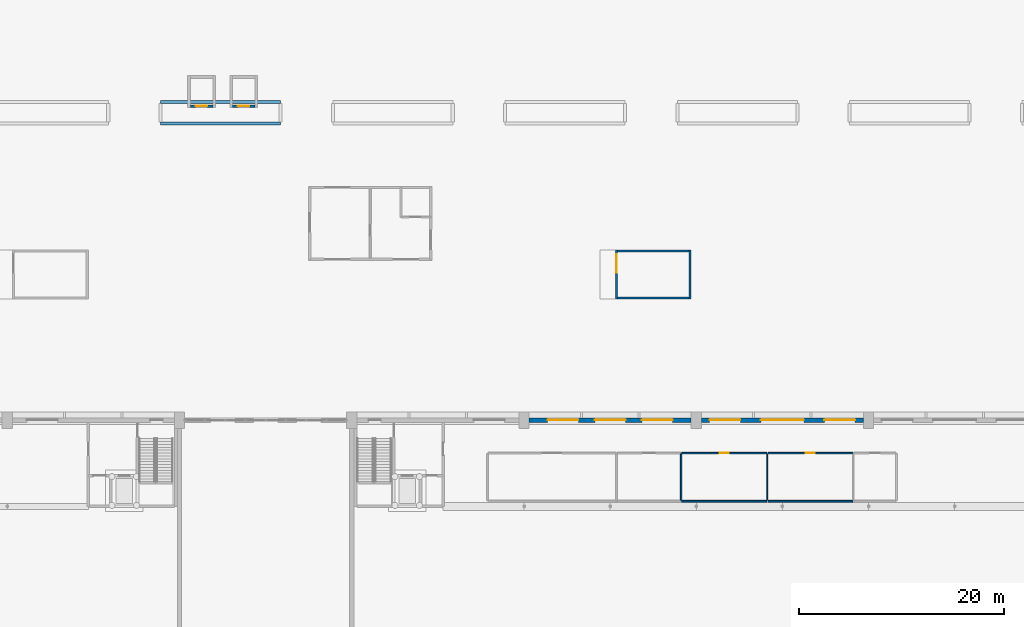
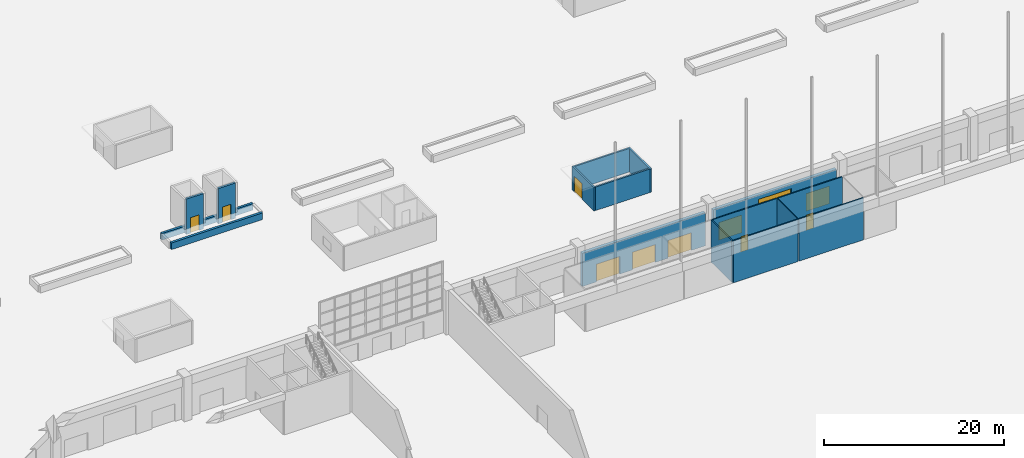
# One storey, part 120 of 210: 16 walls, 11 doors, 11 openings.
"""IFC4 building model written with IfcOpenShell, lengths in metres."""

from ifc_helpers import new_model, si_unit, direction, frame, frame_2d, origin, place, context, subcontext, project, spatial, rectangle, extrude, material, layer, layer_set, type_object, element, fill, save


model = new_model("IFC4")

# Units and contexts
model_context = context("Model", 3, precision=1e-05, world=origin(), true_north=direction((0.0, 1.0)))
body_context = subcontext(model_context, "Body", "Model", "MODEL_VIEW")
ifc_project = project(units=[si_unit("LENGTHUNIT", "METRE"), si_unit("AREAUNIT", "SQUARE_METRE"), si_unit("VOLUMEUNIT", "CUBIC_METRE"), si_unit("PLANEANGLEUNIT", "RADIAN"), si_unit("MASSUNIT", "GRAM", prefix="KILO")], contexts=[model_context])

# Site, building, storey
site_placement = place(None, origin())
site = spatial("IfcSite", under=ifc_project, at=site_placement, CompositionType="ELEMENT")
building_placement = place(site_placement, origin())
building = spatial("IfcBuilding", under=site, at=building_placement, Name="Rain Tree Exposition and Congress Centre", CompositionType="ELEMENT")
storey_placement = place(building_placement, origin())
storey = spatial("IfcBuildingStorey", under=building, at=storey_placement, Name="L00", CompositionType="ELEMENT", Elevation=0.0)

# Wall, opening, door
ifc_material_1 = material(Name="Concrete C40/50", Category="concrete")
ifc_layer_1 = layer(ifc_material_1, 0.199951171875)
ifc_layer_set_1 = layer_set([ifc_layer_1], Name="Concrete C40/50")
wall_type_1 = type_object("IfcWallType", Name="Exit stair wall 200", PredefinedType="PARTITIONING", material=ifc_layer_set_1)
wall_1_placement = place(storey_placement, frame((168.60009765625, 213.39990234375, 0.0), z_axis=(0.0, 0.0, 1.0), x_axis=(0.0, 1.0, 0.0)))
wall_1 = element("IfcWall", 1, at=wall_1_placement, inside=storey, type_object=wall_type_1, Name="Exit stair N03 wall west", PredefinedType="SOLIDWALL", context=body_context, shape_type="SweptSolid", body=[
    extrude(rectangle(XDim=4.800048828125, YDim=0.199951171875, at=frame_2d((2.39990234375, 0.0))), origin(), (0.0, 0.0, 1.0), 3.199951171875),
])
opening_1_placement = place(wall_1_placement, frame((2.60009765625, 0.0, 0.0)))
opening_1 = element("IfcOpeningElement", 2, at=opening_1_placement, cuts=wall_1, Name="Opening DS144", PredefinedType="OPENING", context=body_context, shape_type="SweptSolid", body=[
    extrude(rectangle(XDim=1.800048828125, YDim=2.10009765625, at=frame_2d((0.89990234375, 1.050048828125))), frame((0.0, 0.10009765625, 0.0), z_axis=(0.0, -1.0, 0.0), x_axis=(1.0, 0.0, 0.0)), (0.0, 0.0, 1.0), 0.199951171875),
])
ifc_material_2 = material(Name="Powder-coated steel", Category="steel")
door_type_1 = type_object("IfcDoorType", Name="Exit stair deck door 1800x2100", OperationType="NOTDEFINED", PredefinedType="DOOR", material=ifc_material_2)
door_1_placement = place(opening_1_placement, origin())
door_1 = element("IfcDoor", 3, at=door_1_placement, inside=storey, type_object=door_type_1, Name="Exit stair N03 door L00", OperationType="SINGLE_SWING_LEFT", OverallHeight=2.10009765625, OverallWidth=1.800048828125, PredefinedType="DOOR", context=body_context, shape_type="SweptSolid", body=[
    extrude(rectangle(XDim=1.800048828125, YDim=2.10009765625, at=frame_2d((0.89990234375, 1.050048828125))), frame((0.0, 0.02490234375, 0.0), z_axis=(0.0, -1.0, 0.0), x_axis=(1.0, 0.0, 0.0)), (0.0, 0.0, 1.0), 0.050048828125),
])
fill(opening_1, door_1)

# Walls
wall_2_placement = place(storey_placement, frame((175.800048828125, 213.39990234375, 0.0), z_axis=(0.0, 0.0, 1.0), x_axis=(0.0, 1.0, 0.0)))
element("IfcWall", 4, at=wall_2_placement, inside=storey, type_object=wall_type_1, Name="Exit stair N03 wall east", PredefinedType="SOLIDWALL", context=body_context, shape_type="SweptSolid", body=[
    extrude(rectangle(XDim=4.800048828125, YDim=0.199951171875, at=frame_2d((2.39990234375, 0.0))), origin(), (0.0, 0.0, 1.0), 3.199951171875),
])
for number, where, z_axis, x_axis, name in (
    (5, (168.699951171875, 213.5, 0.0), (0.0, 0.0, 1.0), (1.0, 0.0, 0.0), "Exit stair N03 wall south"),
    (6, (168.699951171875, 218.10009765625, 0.0), (0.0, 0.0, 1.0), (1.0, 0.0, 0.0), "Exit stair N03 wall north"),
):
    element("IfcWall", number, at=place(storey_placement, frame(where, z_axis=z_axis, x_axis=x_axis)), inside=storey, type_object=wall_type_1, Name=name, PredefinedType="SOLIDWALL", context=body_context, shape_type="SweptSolid", body=[
        extrude(rectangle(XDim=7.0, YDim=0.199951171875, at=frame_2d((3.5, 0.0))), origin(), (0.0, 0.0, 1.0), 3.199951171875),
    ])

# Wall, openings, doors
ifc_material_3 = material(Name="Precast concrete C50/60", Category="concrete")
ifc_layer_2 = layer(ifc_material_3, 0.39990234375)
ifc_layer_set_2 = layer_set([ifc_layer_2], Name="Precast concrete C50/60")
wall_type_2 = type_object("IfcWallType", Name="Hall precast wall 400", PredefinedType="STANDARD", material=ifc_layer_set_2)
wall_3_placement = place(storey_placement, frame((160.10009765625, 201.60009765625, 0.0), z_axis=(0.0, 0.0, 1.0), x_axis=(1.0, 0.0, 0.0)))
wall_3 = element("IfcWall", 7, at=wall_3_placement, inside=storey, type_object=wall_type_2, Name="Cladding wall N2", PredefinedType="STANDARD", context=body_context, shape_type="SweptSolid", body=[
    extrude(rectangle(XDim=15.7998046875, YDim=0.39990234375, at=frame_2d((7.89990234375, 0.0))), origin(), (0.0, 0.0, 1.0), 4.5),
])
opening_2_placement = place(wall_3_placement, frame((1.800048828125, 0.0, 0.0)))
opening_2 = element("IfcOpeningElement", 8, at=opening_2_placement, cuts=wall_3, Name="Opening DH148", PredefinedType="OPENING", context=body_context, shape_type="SweptSolid", body=[
    extrude(rectangle(XDim=3.0, YDim=2.39990234375, at=frame_2d((1.5, 1.199951171875))), frame((0.0, 0.199951171875, 0.0), z_axis=(0.0, -1.0, 0.0), x_axis=(1.0, 0.0, 0.0)), (0.0, 0.0, 1.0), 0.39990234375),
])
opening_3_placement = place(wall_3_placement, frame((6.39990234375, 0.0, 0.0)))
opening_3 = element("IfcOpeningElement", 9, at=opening_3_placement, cuts=wall_3, Name="Opening DH149", PredefinedType="OPENING", context=body_context, shape_type="SweptSolid", body=[
    extrude(rectangle(XDim=3.0, YDim=2.39990234375, at=frame_2d((1.5, 1.199951171875))), frame((0.0, 0.199951171875, 0.0), z_axis=(0.0, -1.0, 0.0), x_axis=(1.0, 0.0, 0.0)), (0.0, 0.0, 1.0), 0.39990234375),
])
opening_4_placement = place(wall_3_placement, frame((11.0, 0.0, 0.0)))
opening_4 = element("IfcOpeningElement", 10, at=opening_4_placement, cuts=wall_3, Name="Opening DH150", PredefinedType="OPENING", context=body_context, shape_type="SweptSolid", body=[
    extrude(rectangle(XDim=3.0, YDim=2.39990234375, at=frame_2d((1.5, 1.199951171875))), frame((0.0, 0.199951171875, 0.0), z_axis=(0.0, -1.0, 0.0), x_axis=(1.0, 0.0, 0.0)), (0.0, 0.0, 1.0), 0.39990234375),
])
ifc_material_4 = material(Name="Aluminium and glass", Category="aluminium")
door_type_2 = type_object("IfcDoorType", Name="Double glazed entrance door 3000x2400", OperationType="DOUBLE_DOOR_SINGLE_SWING", PredefinedType="DOOR", material=ifc_material_4)
door_2_placement = place(opening_2_placement, origin())
door_2 = element("IfcDoor", 11, at=door_2_placement, inside=storey, type_object=door_type_2, Name="Door DH148", OperationType="DOUBLE_DOOR_SINGLE_SWING", OverallHeight=2.39990234375, OverallWidth=3.0, PredefinedType="DOOR", context=body_context, shape_type="SweptSolid", body=[
    extrude(rectangle(XDim=3.0, YDim=2.39990234375, at=frame_2d((1.5, 1.199951171875))), frame((0.0, 0.02490234375, 0.0), z_axis=(0.0, -1.0, 0.0), x_axis=(1.0, 0.0, 0.0)), (0.0, 0.0, 1.0), 0.050048828125),
])
fill(opening_2, door_2)
door_3_placement = place(opening_3_placement, origin())
door_3 = element("IfcDoor", 12, at=door_3_placement, inside=storey, type_object=door_type_2, Name="Door DH149", OperationType="DOUBLE_DOOR_SINGLE_SWING", OverallHeight=2.39990234375, OverallWidth=3.0, PredefinedType="DOOR", context=body_context, shape_type="SweptSolid", body=[
    extrude(rectangle(XDim=3.0, YDim=2.39990234375, at=frame_2d((1.5, 1.199951171875))), frame((0.0, 0.02490234375, 0.0), z_axis=(0.0, -1.0, 0.0), x_axis=(1.0, 0.0, 0.0)), (0.0, 0.0, 1.0), 0.050048828125),
])
fill(opening_3, door_3)
door_4_placement = place(opening_4_placement, origin())
door_4 = element("IfcDoor", 13, at=door_4_placement, inside=storey, type_object=door_type_2, Name="Door DH150", OperationType="DOUBLE_DOOR_SINGLE_SWING", OverallHeight=2.39990234375, OverallWidth=3.0, PredefinedType="DOOR", context=body_context, shape_type="SweptSolid", body=[
    extrude(rectangle(XDim=3.0, YDim=2.39990234375, at=frame_2d((1.5, 1.199951171875))), frame((0.0, 0.02490234375, 0.0), z_axis=(0.0, -1.0, 0.0), x_axis=(1.0, 0.0, 0.0)), (0.0, 0.0, 1.0), 0.050048828125),
])
fill(opening_4, door_4)

wall_4_placement = place(storey_placement, frame((176.89990234375, 201.60009765625, 0.0), z_axis=(0.0, 0.0, 1.0), x_axis=(1.0, 0.0, 0.0)))
wall_4 = element("IfcWall", 14, at=wall_4_placement, inside=storey, type_object=wall_type_2, Name="Cladding wall N3", PredefinedType="STANDARD", context=body_context, shape_type="SweptSolid", body=[
    extrude(rectangle(XDim=15.800048828125, YDim=0.39990234375, at=frame_2d((7.89990234375, 0.0))), origin(), (0.0, 0.0, 1.0), 4.5),
])
opening_5_placement = place(wall_4_placement, frame((5.800048828125, 0.0, 0.0)))
opening_5 = element("IfcOpeningElement", 15, at=opening_5_placement, cuts=wall_4, Name="Opening DH151", PredefinedType="OPENING", context=body_context, shape_type="SweptSolid", body=[
    extrude(rectangle(XDim=4.199951171875, YDim=3.89990234375, at=frame_2d((2.10009765625, 1.949951171875))), frame((0.0, 0.199951171875, 0.0), z_axis=(0.0, -1.0, 0.0), x_axis=(1.0, 0.0, 0.0)), (0.0, 0.0, 1.0), 0.39990234375),
])
opening_6_placement = place(wall_4_placement, frame((0.800048828125, 0.0, 0.0)))
opening_6 = element("IfcOpeningElement", 16, at=opening_6_placement, cuts=wall_4, Name="Opening DH152", PredefinedType="OPENING", context=body_context, shape_type="SweptSolid", body=[
    extrude(rectangle(XDim=3.0, YDim=2.39990234375, at=frame_2d((1.5, 1.199951171875))), frame((0.0, 0.199951171875, 0.0), z_axis=(0.0, -1.0, 0.0), x_axis=(1.0, 0.0, 0.0)), (0.0, 0.0, 1.0), 0.39990234375),
])
opening_7_placement = place(wall_4_placement, frame((12.0, 0.0, 0.0)))
opening_7 = element("IfcOpeningElement", 17, at=opening_7_placement, cuts=wall_4, Name="Opening DH153", PredefinedType="OPENING", context=body_context, shape_type="SweptSolid", body=[
    extrude(rectangle(XDim=3.0, YDim=2.39990234375, at=frame_2d((1.5, 1.199951171875))), frame((0.0, 0.199951171875, 0.0), z_axis=(0.0, -1.0, 0.0), x_axis=(1.0, 0.0, 0.0)), (0.0, 0.0, 1.0), 0.39990234375),
])
door_5_placement = place(opening_6_placement, origin())
door_5 = element("IfcDoor", 18, at=door_5_placement, inside=storey, type_object=door_type_2, Name="Door DH152", OperationType="DOUBLE_DOOR_SINGLE_SWING", OverallHeight=2.39990234375, OverallWidth=3.0, PredefinedType="DOOR", context=body_context, shape_type="SweptSolid", body=[
    extrude(rectangle(XDim=3.0, YDim=2.39990234375, at=frame_2d((1.5, 1.199951171875))), frame((0.0, 0.02490234375, 0.0), z_axis=(0.0, -1.0, 0.0), x_axis=(1.0, 0.0, 0.0)), (0.0, 0.0, 1.0), 0.050048828125),
])
fill(opening_6, door_5)
door_6_placement = place(opening_7_placement, origin())
door_6 = element("IfcDoor", 19, at=door_6_placement, inside=storey, type_object=door_type_2, Name="Door DH153", OperationType="DOUBLE_DOOR_SINGLE_SWING", OverallHeight=2.39990234375, OverallWidth=3.0, PredefinedType="DOOR", context=body_context, shape_type="SweptSolid", body=[
    extrude(rectangle(XDim=3.0, YDim=2.39990234375, at=frame_2d((1.5, 1.199951171875))), frame((0.0, 0.02490234375, 0.0), z_axis=(0.0, -1.0, 0.0), x_axis=(1.0, 0.0, 0.0)), (0.0, 0.0, 1.0), 0.050048828125),
])
fill(opening_7, door_6)
ifc_material_5 = material(Name="Galvanised steel sectional door", Category="steel")
door_type_3 = type_object("IfcDoorType", Name="Sectional overhead dock door 4200x3900", OperationType="ROLLINGUP", PredefinedType="DOOR", material=ifc_material_5)
door_7_placement = place(opening_5_placement, origin())
door_7 = element("IfcDoor", 20, at=door_7_placement, inside=storey, type_object=door_type_3, Name="Door DH151", OperationType="ROLLINGUP", OverallHeight=3.89990234375, OverallWidth=4.199951171875, PredefinedType="DOOR", context=body_context, shape_type="SweptSolid", body=[
    extrude(rectangle(XDim=4.199951171875, YDim=3.89990234375, at=frame_2d((2.10009765625, 1.949951171875))), frame((0.0, 0.02490234375, 0.0), z_axis=(0.0, -1.0, 0.0), x_axis=(1.0, 0.0, 0.0)), (0.0, 0.0, 1.0), 0.050048828125),
])
fill(opening_5, door_7)

# Wall, opening, door
ifc_material_6 = material(Name="Concrete C40/50", Category="concrete")
ifc_layer_3 = layer(ifc_material_6, 0.25)
ifc_layer_set_3 = layer_set([ifc_layer_3], Name="Concrete C40/50")
wall_type_3 = type_object("IfcWallType", Name="Lift shaft wall 250", PredefinedType="SHEAR", material=ifc_layer_set_3)
wall_5_placement = place(storey_placement, frame((127.050048828125, 232.22509765625, 0.0), z_axis=(0.0, 0.0, 1.0), x_axis=(1.0, 0.0, 0.0)))
wall_5 = element("IfcWall", 21, at=wall_5_placement, inside=storey, type_object=wall_type_3, Name="Lift N1 shaft wall south", PredefinedType="SHEAR", context=body_context, shape_type="SweptSolid", body=[
    extrude(rectangle(XDim=2.199951171875, YDim=0.25, at=frame_2d((1.10009765625, 0.0))), origin(), (0.0, 0.0, 1.0), 4.800048828125),
])
opening_8_placement = place(wall_5_placement, frame((0.550048828125, 0.0, 0.0)))
opening_8 = element("IfcOpeningElement", 22, at=opening_8_placement, cuts=wall_5, Name="Opening DS306", PredefinedType="OPENING", context=body_context, shape_type="SweptSolid", body=[
    extrude(rectangle(XDim=1.10009765625, YDim=2.10009765625, at=frame_2d((0.550048828125, 1.050048828125))), frame((0.0, 0.125, 0.0), z_axis=(0.0, -1.0, 0.0), x_axis=(1.0, 0.0, 0.0)), (0.0, 0.0, 1.0), 0.25),
])
ifc_material_7 = material(Name="Stainless steel", Category="steel")
door_type_4 = type_object("IfcDoorType", Name="Lift landing door 1100x2100", OperationType="DOUBLE_DOOR_SLIDING", PredefinedType="DOOR", material=ifc_material_7)
door_8_placement = place(opening_8_placement, origin())
door_8 = element("IfcDoor", 23, at=door_8_placement, inside=storey, type_object=door_type_4, Name="Landing door N1 L00", OperationType="DOUBLE_DOOR_SLIDING", OverallHeight=2.10009765625, OverallWidth=1.10009765625, PredefinedType="DOOR", context=body_context, shape_type="SweptSolid", body=[
    extrude(rectangle(XDim=1.10009765625, YDim=2.10009765625, at=frame_2d((0.550048828125, 1.050048828125))), frame((0.0, 0.02490234375, 0.0), z_axis=(0.0, -1.0, 0.0), x_axis=(1.0, 0.0, 0.0)), (0.0, 0.0, 1.0), 0.050048828125),
])
fill(opening_8, door_8)

wall_6_placement = place(storey_placement, frame((131.14990234375, 232.22509765625, 0.0), z_axis=(0.0, 0.0, 1.0), x_axis=(1.0, 0.0, 0.0)))
wall_6 = element("IfcWall", 24, at=wall_6_placement, inside=storey, type_object=wall_type_3, Name="Lift N2 shaft wall south", PredefinedType="SHEAR", context=body_context, shape_type="SweptSolid", body=[
    extrude(rectangle(XDim=2.2001953125, YDim=0.25, at=frame_2d((1.10009765625, 0.0))), origin(), (0.0, 0.0, 1.0), 4.800048828125),
])
opening_9_placement = place(wall_6_placement, frame((0.550048828125, 0.0, 0.0)))
opening_9 = element("IfcOpeningElement", 25, at=opening_9_placement, cuts=wall_6, Name="Opening DS308", PredefinedType="OPENING", context=body_context, shape_type="SweptSolid", body=[
    extrude(rectangle(XDim=1.10009765625, YDim=2.10009765625, at=frame_2d((0.550048828125, 1.050048828125))), frame((0.0, 0.125, 0.0), z_axis=(0.0, -1.0, 0.0), x_axis=(1.0, 0.0, 0.0)), (0.0, 0.0, 1.0), 0.25),
])
door_9_placement = place(opening_9_placement, origin())
door_9 = element("IfcDoor", 26, at=door_9_placement, inside=storey, type_object=door_type_4, Name="Landing door N2 L00", OperationType="DOUBLE_DOOR_SLIDING", OverallHeight=2.10009765625, OverallWidth=1.10009765625, PredefinedType="DOOR", context=body_context, shape_type="SweptSolid", body=[
    extrude(rectangle(XDim=1.10009765625, YDim=2.10009765625, at=frame_2d((0.550048828125, 1.050048828125))), frame((0.0, 0.02490234375, 0.0), z_axis=(0.0, -1.0, 0.0), x_axis=(1.0, 0.0, 0.0)), (0.0, 0.0, 1.0), 0.050048828125),
])
fill(opening_9, door_9)

# Walls
ifc_material_8 = material(Name="Concrete C40/50", Category="concrete")
ifc_layer_4 = layer(ifc_material_8, 0.300048828125)
ifc_layer_set_4 = layer_set([ifc_layer_4], Name="Concrete C40/50")
wall_type_4 = type_object("IfcWallType", Name="Precast planter wall 300", PredefinedType="SOLIDWALL", material=ifc_layer_set_4)
for number, where, z_axis, x_axis, name in (
    (27, (124.14990234375, 230.550048828125, 0.0), (0.0, 0.0, 1.0), (1.0, 0.0, 0.0), "Dock apron planter wall"),
    (28, (124.14990234375, 232.64990234375, 0.0), (0.0, 0.0, 1.0), (1.0, 0.0, 0.0), "Dock apron planter wall"),
):
    element("IfcWall", number, at=place(storey_placement, frame(where, z_axis=z_axis, x_axis=x_axis)), inside=storey, type_object=wall_type_4, Name=name, PredefinedType="SOLIDWALL", context=body_context, shape_type="SweptSolid", body=[
        extrude(rectangle(XDim=11.7001953125, YDim=0.300048828125, at=frame_2d((5.85009765625, 0.0))), origin(), (0.0, 0.0, 1.0), 0.89990234375),
    ])
ifc_material_9 = material(Name="Concrete C25/30", Category="concrete")
ifc_layer_5 = layer(ifc_material_9, 0.14990234375)
ifc_layer_set_5 = layer_set([ifc_layer_5], Name="Concrete C25/30")
wall_type_5 = type_object("IfcWallType", Name="Visitor room partition 150", PredefinedType="PARTITIONING", material=ifc_layer_set_5)
wall_7_placement = place(storey_placement, frame((175.0, 193.699951171875, 0.0), z_axis=(0.0, 0.0, 1.0), x_axis=(1.0, 0.0, 0.0)))
element("IfcWall", 29, at=wall_7_placement, inside=storey, type_object=wall_type_5, Name="Women's WC wall S", PredefinedType="PARTITIONING", context=body_context, shape_type="SweptSolid", body=[
    extrude(rectangle(XDim=8.25, YDim=0.14990234375, at=frame_2d((4.125, 0.0))), origin(), (0.0, 0.0, 1.0), 5.699951171875),
])

# Wall, opening, door
wall_8_placement = place(storey_placement, frame((175.0, 198.39990234375, 0.0), z_axis=(0.0, 0.0, 1.0), x_axis=(1.0, 0.0, 0.0)))
wall_8 = element("IfcWall", 30, at=wall_8_placement, inside=storey, type_object=wall_type_5, Name="Women's WC wall N", PredefinedType="PARTITIONING", context=body_context, shape_type="SweptSolid", body=[
    extrude(rectangle(XDim=8.25, YDim=0.14990234375, at=frame_2d((4.125, 0.0))), origin(), (0.0, 0.0, 1.0), 5.699951171875),
])
opening_10_placement = place(wall_8_placement, frame((3.675048828125, 0.0, 0.0)))
opening_10 = element("IfcOpeningElement", 31, at=opening_10_placement, cuts=wall_8, Name="Opening DH252", PredefinedType="OPENING", context=body_context, shape_type="SweptSolid", body=[
    extrude(rectangle(XDim=0.89990234375, YDim=2.10009765625, at=frame_2d((0.449951171875, 1.050048828125))), frame((0.0, 0.074951171875, 0.0), z_axis=(0.0, -1.0, 0.0), x_axis=(1.0, 0.0, 0.0)), (0.0, 0.0, 1.0), 0.14990234375),
])
ifc_material_10 = material(Name="Painted steel door", Category="steel")
door_type_5 = type_object("IfcDoorType", Name="Toilet door 900x2100", OperationType="NOTDEFINED", PredefinedType="DOOR", material=ifc_material_10)
door_10_placement = place(opening_10_placement, origin())
door_10 = element("IfcDoor", 32, at=door_10_placement, inside=storey, type_object=door_type_5, Name="Door DH252", OperationType="SINGLE_SWING_LEFT", OverallHeight=2.10009765625, OverallWidth=0.89990234375, PredefinedType="DOOR", context=body_context, shape_type="SweptSolid", body=[
    extrude(rectangle(XDim=0.89990234375, YDim=2.10009765625, at=frame_2d((0.449951171875, 1.050048828125))), frame((0.0, 0.02490234375, 0.0), z_axis=(0.0, -1.0, 0.0), x_axis=(1.0, 0.0, 0.0)), (0.0, 0.0, 1.0), 0.050048828125),
])
fill(opening_10, door_10)

# Wall
wall_9_placement = place(storey_placement, frame((183.39990234375, 193.699951171875, 0.0), z_axis=(0.0, 0.0, 1.0), x_axis=(1.0, 0.0, 0.0)))
element("IfcWall", 33, at=wall_9_placement, inside=storey, type_object=wall_type_5, Name="Men's WC wall S", PredefinedType="PARTITIONING", context=body_context, shape_type="SweptSolid", body=[
    extrude(rectangle(XDim=8.25, YDim=0.14990234375, at=frame_2d((4.125, 0.0))), origin(), (0.0, 0.0, 1.0), 5.699951171875),
])

# Wall, opening, door
wall_10_placement = place(storey_placement, frame((183.39990234375, 198.39990234375, 0.0), z_axis=(0.0, 0.0, 1.0), x_axis=(1.0, 0.0, 0.0)))
wall_10 = element("IfcWall", 34, at=wall_10_placement, inside=storey, type_object=wall_type_5, Name="Men's WC wall N", PredefinedType="PARTITIONING", context=body_context, shape_type="SweptSolid", body=[
    extrude(rectangle(XDim=8.25, YDim=0.14990234375, at=frame_2d((4.125, 0.0))), origin(), (0.0, 0.0, 1.0), 5.699951171875),
])
opening_11_placement = place(wall_10_placement, frame((3.675048828125, 0.0, 0.0)))
opening_11 = element("IfcOpeningElement", 35, at=opening_11_placement, cuts=wall_10, Name="Opening DH253", PredefinedType="OPENING", context=body_context, shape_type="SweptSolid", body=[
    extrude(rectangle(XDim=0.89990234375, YDim=2.10009765625, at=frame_2d((0.449951171875, 1.050048828125))), frame((0.0, 0.074951171875, 0.0), z_axis=(0.0, -1.0, 0.0), x_axis=(1.0, 0.0, 0.0)), (0.0, 0.0, 1.0), 0.14990234375),
])
door_11_placement = place(opening_11_placement, origin())
door_11 = element("IfcDoor", 36, at=door_11_placement, inside=storey, type_object=door_type_5, Name="Door DH253", OperationType="SINGLE_SWING_RIGHT", OverallHeight=2.10009765625, OverallWidth=0.89990234375, PredefinedType="DOOR", context=body_context, shape_type="SweptSolid", body=[
    extrude(rectangle(XDim=0.89990234375, YDim=2.10009765625, at=frame_2d((0.449951171875, 1.050048828125))), frame((0.0, 0.02490234375, 0.0), z_axis=(0.0, -1.0, 0.0), x_axis=(1.0, 0.0, 0.0)), (0.0, 0.0, 1.0), 0.050048828125),
])
fill(opening_11, door_11)

# Walls
wall_11_placement = place(storey_placement, frame((174.925048828125, 193.77490234375, 0.0), z_axis=(0.0, 0.0, 1.0), x_axis=(0.0, 1.0, 0.0)))
element("IfcWall", 37, at=wall_11_placement, inside=storey, type_object=wall_type_5, Name="Visitor room party wall 3", PredefinedType="PARTITIONING", context=body_context, shape_type="SweptSolid", body=[
    extrude(rectangle(XDim=4.550048828125, YDim=0.14990234375, at=frame_2d((2.27490234375, 0.0))), origin(), (0.0, 0.0, 1.0), 5.699951171875),
])
ifc_material_11 = material(Name="Concrete C25/30", Category="concrete")
ifc_layer_6 = layer(ifc_material_11, 0.10009765625)
ifc_layer_set_6 = layer_set([ifc_layer_6], Name="Concrete C25/30")
wall_type_6 = type_object("IfcWallType", Name="Wet room partition 100", PredefinedType="PARTITIONING", material=ifc_layer_set_6)
wall_12_placement = place(storey_placement, frame((183.324951171875, 193.77490234375, 0.0), z_axis=(0.0, 0.0, 1.0), x_axis=(0.0, 1.0, 0.0)))
element("IfcWall", 38, at=wall_12_placement, inside=storey, type_object=wall_type_6, Name="Visitor room party wall 4", PredefinedType="PARTITIONING", context=body_context, shape_type="SweptSolid", body=[
    extrude(rectangle(XDim=4.550048828125, YDim=0.10009765625, at=frame_2d((2.27490234375, 0.0))), origin(), (0.0, 0.0, 1.0), 5.699951171875),
])

save(model, "model.ifc")
